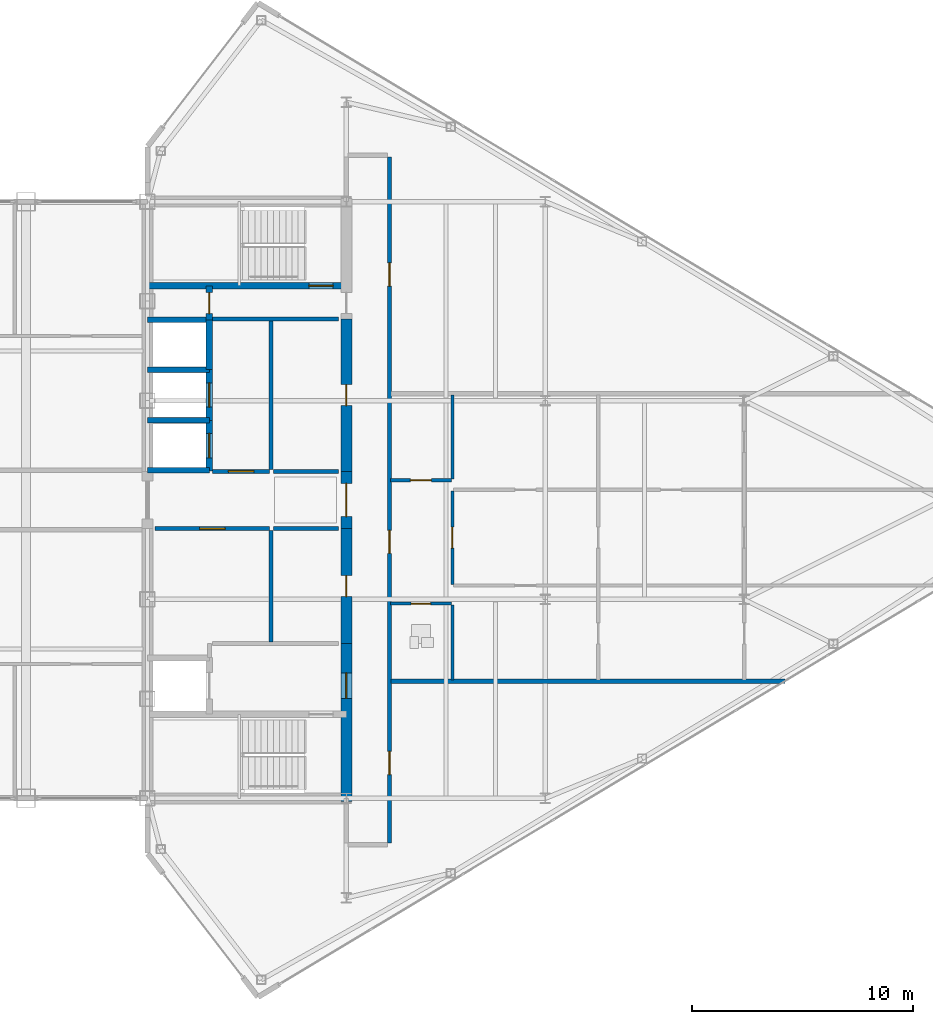
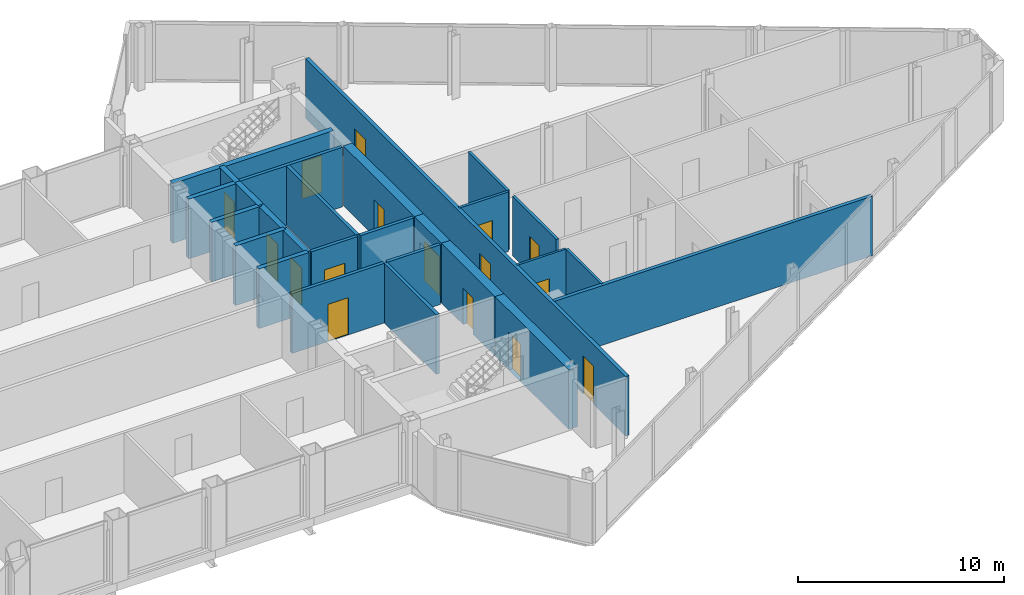
# One storey, part 25 of 29: 27 walls, 16 doors, 16 openings.
"""IFC4 building model written with IfcOpenShell, lengths in metres."""

from ifc_helpers import new_model, si_unit, direction, frame, frame_2d, origin, place, context, subcontext, project, spatial, rectangle, extrude, source, transform, mapped, material, layer, layer_set, type_object, type_shapes, element, fill, save


model = new_model("IFC4")

# Units and contexts
model_context = context("Model", 3, precision=1e-05, world=origin(), true_north=direction((0.0, 1.0)))
body_context = subcontext(model_context, "Body", "Model", "MODEL_VIEW")
ifc_project = project(units=[si_unit("LENGTHUNIT", "METRE"), si_unit("AREAUNIT", "SQUARE_METRE"), si_unit("VOLUMEUNIT", "CUBIC_METRE"), si_unit("PLANEANGLEUNIT", "RADIAN"), si_unit("MASSUNIT", "GRAM", prefix="KILO")], contexts=[model_context])

# Site, building, storey
site_placement = place(None, origin())
site = spatial("IfcSite", under=ifc_project, at=site_placement, CompositionType="ELEMENT")
building_placement = place(site_placement, origin())
building = spatial("IfcBuilding", under=site, at=building_placement, Name="Seokmaru Belvedere", CompositionType="ELEMENT")
storey_placement = place(building_placement, frame((0.0, 0.0, 246.89990234375)))
storey = spatial("IfcBuildingStorey", under=building, at=storey_placement, Name="L65", CompositionType="ELEMENT", Elevation=246.89990234375)

# Wall, opening, door
ifc_material_1 = material(Name="Fire-Rated Gypsum Shaftwall")
ifc_layer_1 = layer(ifc_material_1, 0.14990234375)
ifc_layer_set_1 = layer_set([ifc_layer_1], Name="Fire-Rated Gypsum Shaftwall")
wall_type_1 = type_object("IfcWallType", Name="Apartment Fire-Acoustic Room Partition 150", PredefinedType="PARTITIONING", material=ifc_layer_set_1)
wall_1_placement = place(storey_placement, frame((38.5, 0.89990234375, 0.0), z_axis=(0.0, 0.0, 1.0), x_axis=(1.0, 0.0, 0.0)))
wall_1 = element("IfcWall", 1, at=wall_1_placement, inside=storey, type_object=wall_type_1, Name="L65 Interior Partition 017", PredefinedType="PARTITIONING", context=body_context, shape_type="SweptSolid", body=[
    extrude(rectangle(XDim=2.75, YDim=0.14990234375, at=frame_2d((1.375, 0.0))), origin(), (0.0, 0.0, 1.0), 3.530029296875),
])
opening_1_placement = place(wall_1_placement, frame((0.89990234375, 0.0, 0.0)))
opening_1 = element("IfcOpeningElement", 2, at=opening_1_placement, cuts=wall_1, Name="Opening D05", PredefinedType="OPENING", context=body_context, shape_type="SweptSolid", body=[
    extrude(rectangle(XDim=0.949951171875, YDim=2.14990234375, at=frame_2d((0.47509765625, 1.074951171875))), frame((0.0, 0.0849609375, 0.0), z_axis=(0.0, -1.0, 0.0), x_axis=(1.0, 0.0, 0.0)), (0.0, 0.0, 1.0), 0.169921875),
])
ifc_material_2 = material(Name="Engineered White Oak Timber", Category="wood")
door_type_1 = type_object("IfcDoorType", Name="Apartment Interior Fire-Rated Oak Door 950x2150", OperationType="NOTDEFINED", PredefinedType="DOOR", material=ifc_material_2)
shared_shape_1 = source(origin(), body_context, "Body", "SweptSolid", [
    extrude(rectangle(XDim=0.949951171875, YDim=2.14990234375, at=frame_2d((0.47509765625, 1.074951171875))), frame((0.0, 0.02490234375, 0.0), z_axis=(0.0, -1.0, 0.0), x_axis=(1.0, 0.0, 0.0)), (0.0, 0.0, 1.0), 0.050048828125),
])
type_shapes(door_type_1, [shared_shape_1])
door_1_placement = place(opening_1_placement, origin())
door_1 = element("IfcDoor", 3, at=door_1_placement, inside=storey, type_object=door_type_1, Name="L65 Interior Door 015", OperationType="SINGLE_SWING_RIGHT", OverallHeight=2.14990234375, OverallWidth=0.949951171875, PredefinedType="DOOR", context=body_context, shape_type="MappedRepresentation", body=[
    mapped(shared_shape_1, transform((0.0, 0.0, 0.0), scale=1.0)),
])
fill(opening_1, door_1)

wall_2_placement = place(storey_placement, frame((41.300048828125, -3.81689453125, 0.0), z_axis=(0.0, 0.0, 1.0), x_axis=(0.0, 1.0, 0.0)))
wall_2 = element("IfcWall", 4, at=wall_2_placement, inside=storey, type_object=wall_type_1, Name="L65 Interior Partition 052", PredefinedType="PARTITIONING", context=body_context, shape_type="SweptSolid", body=[
    extrude(rectangle(XDim=4.23388671875, YDim=0.14990234375, at=frame_2d((2.116943359375, 0.0))), origin(), (0.0, 0.0, 1.0), 3.530029296875),
])
opening_2_placement = place(wall_2_placement, frame((1.64208984375, 0.0, 0.0)))
opening_2 = element("IfcOpeningElement", 5, at=opening_2_placement, cuts=wall_2, Name="Opening D05", PredefinedType="OPENING", context=body_context, shape_type="SweptSolid", body=[
    extrude(rectangle(XDim=0.949951171875, YDim=2.14990234375, at=frame_2d((0.47509765625, 1.074951171875))), frame((0.0, 0.0849609375, 0.0), z_axis=(0.0, -1.0, 0.0), x_axis=(1.0, 0.0, 0.0)), (0.0, 0.0, 1.0), 0.169921875),
])
door_2_placement = place(opening_2_placement, origin())
door_2 = element("IfcDoor", 6, at=door_2_placement, inside=storey, type_object=door_type_1, Name="L65 Interior Door 016", OperationType="SINGLE_SWING_LEFT", OverallHeight=2.14990234375, OverallWidth=0.949951171875, PredefinedType="DOOR", context=body_context, shape_type="MappedRepresentation", body=[
    mapped(shared_shape_1, transform((0.0, 0.0, 0.0), scale=1.0)),
])
fill(opening_2, door_2)

# Walls
wall_3_placement = place(storey_placement, frame((41.300048828125, 0.951904296875, 0.0), z_axis=(0.0, 0.0, 1.0), x_axis=(0.0, 1.0, 0.0)))
element("IfcWall", 7, at=wall_3_placement, inside=storey, type_object=wall_type_1, Name="L65 Interior Partition 053", PredefinedType="PARTITIONING", context=body_context, shape_type="SweptSolid", body=[
    extrude(rectangle(XDim=3.798095703125, YDim=0.14990234375, at=frame_2d((1.89892578125, 0.0))), origin(), (0.0, 0.0, 1.0), 3.530029296875),
])
ifc_layer_2 = layer(ifc_material_1, 0.179931640625)
ifc_layer_set_2 = layer_set([ifc_layer_2], Name="Fire-Rated Gypsum Shaftwall")
wall_type_2 = type_object("IfcWallType", Name="Core Service Fire Partition 180", PredefinedType="PARTITIONING", material=ifc_layer_set_2)
wall_4_placement = place(storey_placement, frame((30.449951171875, 8.199951171875, 0.0), z_axis=(0.0, 0.0, 1.0), x_axis=(1.0, 0.0, 0.0)))
element("IfcWall", 8, at=wall_4_placement, inside=storey, type_object=wall_type_2, Name="L65 East Smokeproof Vestibule Partition", PredefinedType="PARTITIONING", context=body_context, shape_type="SweptSolid", body=[
    extrude(rectangle(XDim=5.699951171875, YDim=0.179931640625, at=frame_2d((2.85009765625, 0.0))), origin(), (0.0, 0.0, 1.0), 3.530029296875),
])
wall_5_placement = place(storey_placement, frame((33.10009765625, -6.419921875, 0.0), z_axis=(0.0, 0.0, 1.0), x_axis=(0.0, 1.0, 0.0)))
element("IfcWall", 9, at=wall_5_placement, inside=storey, type_object=wall_type_2, Name="L65 East South Core Service Back Wall", PredefinedType="PARTITIONING", context=body_context, shape_type="SweptSolid", body=[
    extrude(rectangle(XDim=5.0400390625, YDim=0.179931640625, at=frame_2d((2.52001953125, 0.0))), origin(), (0.0, 0.0, 1.0), 3.530029296875),
])
wall_6_placement = place(storey_placement, frame((33.10009765625, 1.3798828125, 0.0), z_axis=(0.0, 0.0, 1.0), x_axis=(0.0, 1.0, 0.0)))
element("IfcWall", 10, at=wall_6_placement, inside=storey, type_object=wall_type_2, Name="L65 East North Core Service Back Wall", PredefinedType="PARTITIONING", context=body_context, shape_type="SweptSolid", body=[
    extrude(rectangle(XDim=6.740234375, YDim=0.179931640625, at=frame_2d((3.3701171875, 0.0))), origin(), (0.0, 0.0, 1.0), 3.530029296875),
])

# Wall, opening, door
wall_7_placement = place(storey_placement, frame((27.85009765625, -1.300048828125, 0.0), z_axis=(0.0, 0.0, 1.0), x_axis=(1.0, 0.0, 0.0)))
wall_7 = element("IfcWall", 11, at=wall_7_placement, inside=storey, type_object=wall_type_2, Name="L65 East South Lift Lobby Foyer Wall", PredefinedType="PARTITIONING", context=body_context, shape_type="SweptSolid", body=[
    extrude(rectangle(XDim=5.169921875, YDim=0.179931640625, at=frame_2d((2.5849609375, 0.0))), origin(), (0.0, 0.0, 1.0), 3.530029296875),
])
opening_3_placement = place(wall_7_placement, frame((2.010009765625, 0.0, 0.0)))
opening_3 = element("IfcOpeningElement", 12, at=opening_3_placement, cuts=wall_7, Name="Opening D02", PredefinedType="OPENING", context=body_context, shape_type="SweptSolid", body=[
    extrude(rectangle(XDim=1.14990234375, YDim=2.199951171875, at=frame_2d((0.574951171875, 1.10009765625))), frame((0.0, 0.10009765625, 0.0), z_axis=(0.0, -1.0, 0.0), x_axis=(1.0, 0.0, 0.0)), (0.0, 0.0, 1.0), 0.199951171875),
])
ifc_material_3 = material(Name="Fire-Rated Steel Leaf", Category="steel")
door_type_2 = type_object("IfcDoorType", Name="Lobby and Vestibule Fire Door 1150x2200", OperationType="NOTDEFINED", PredefinedType="DOOR", material=ifc_material_3)
shared_shape_2 = source(origin(), body_context, "Body", "SweptSolid", [
    extrude(rectangle(XDim=1.14990234375, YDim=2.199951171875, at=frame_2d((0.574951171875, 1.10009765625))), frame((0.0, 0.02490234375, 0.0), z_axis=(0.0, -1.0, 0.0), x_axis=(1.0, 0.0, 0.0)), (0.0, 0.0, 1.0), 0.050048828125),
])
type_shapes(door_type_2, [shared_shape_2])
door_3_placement = place(opening_3_placement, origin())
door_3 = element("IfcDoor", 13, at=door_3_placement, inside=storey, type_object=door_type_2, Name="L65 East South Core Foyer Door", OperationType="SINGLE_SWING_RIGHT", OverallHeight=2.199951171875, OverallWidth=1.14990234375, PredefinedType="DOOR", context=body_context, shape_type="MappedRepresentation", body=[
    mapped(shared_shape_2, transform((0.0, 0.0, 0.0), scale=1.0)),
])
fill(opening_3, door_3)

wall_8_placement = place(storey_placement, frame((30.449951171875, 1.300048828125, 0.0), z_axis=(0.0, 0.0, 1.0), x_axis=(1.0, 0.0, 0.0)))
wall_8 = element("IfcWall", 14, at=wall_8_placement, inside=storey, type_object=wall_type_2, Name="L65 East North Lift Lobby Foyer Wall", PredefinedType="PARTITIONING", context=body_context, shape_type="SweptSolid", body=[
    extrude(rectangle(XDim=2.570068359375, YDim=0.179931640625, at=frame_2d((1.28515625, 0.0))), origin(), (0.0, 0.0, 1.0), 3.530029296875),
])
opening_4_placement = place(wall_8_placement, frame((0.7099609375, 0.0, 0.0)))
opening_4 = element("IfcOpeningElement", 15, at=opening_4_placement, cuts=wall_8, Name="Opening D02", PredefinedType="OPENING", context=body_context, shape_type="SweptSolid", body=[
    extrude(rectangle(XDim=1.14990234375, YDim=2.199951171875, at=frame_2d((0.574951171875, 1.10009765625))), frame((0.0, 0.10009765625, 0.0), z_axis=(0.0, -1.0, 0.0), x_axis=(1.0, 0.0, 0.0)), (0.0, 0.0, 1.0), 0.199951171875),
])
door_4_placement = place(opening_4_placement, origin())
door_4 = element("IfcDoor", 16, at=door_4_placement, inside=storey, type_object=door_type_2, Name="L65 East North Lift Lobby Door", OperationType="SINGLE_SWING_LEFT", OverallHeight=2.199951171875, OverallWidth=1.14990234375, PredefinedType="DOOR", context=body_context, shape_type="MappedRepresentation", body=[
    mapped(shared_shape_2, transform((0.0, 0.0, 0.0), scale=1.0)),
])
fill(opening_4, door_4)

# Walls
for number, where, z_axis, x_axis, name in (
    (17, (33.199951171875, -1.300048828125, 0.0), (0.0, 0.0, 1.0), (1.0, 0.0, 0.0), "L65 East Foyer Side Wall S"),
    (18, (33.199951171875, 1.300048828125, 0.0), (0.0, 0.0, 1.0), (1.0, 0.0, 0.0), "L65 East Foyer Side Wall N"),
):
    element("IfcWall", number, at=place(storey_placement, frame(where, z_axis=z_axis, x_axis=x_axis)), inside=storey, type_object=wall_type_2, Name=name, PredefinedType="PARTITIONING", context=body_context, shape_type="SweptSolid", body=[
        extrude(rectangle(XDim=2.949951171875, YDim=0.179931640625, at=frame_2d((1.47509765625, 0.0))), origin(), (0.0, 0.0, 1.0), 3.530029296875),
    ])
ifc_material_4 = material(Name="Concrete C50 (50 MPa)", Category="concrete")
ifc_layer_3 = layer(ifc_material_4, 0.25)
ifc_layer_set_3 = layer_set([ifc_layer_3], Name="Concrete C50 (50 MPa)")
wall_type_3 = type_object("IfcWallType", Name="Hoistway Transverse Concrete Divider Wall 250", PredefinedType="SHEAR", material=ifc_layer_set_3)
for number, where, z_axis, x_axis, name in (
    (19, (27.5, 1.35009765625, 0.0), (0.0, 0.0, 1.0), (1.0, 0.0, 0.0), "L65 East Hoistway Divider Core Wall 2"),
    (20, (27.5, 3.60009765625, 0.0), (0.0, 0.0, 1.0), (1.0, 0.0, 0.0), "L65 East Hoistway Divider Core Wall 3"),
    (21, (27.5, 5.89990234375, 0.0), (0.0, 0.0, 1.0), (1.0, 0.0, 0.0), "L65 East Hoistway Divider Core Wall 4"),
    (22, (27.5, 8.14990234375, 0.0), (0.0, 0.0, 1.0), (1.0, 0.0, 0.0), "L65 East Hoistway Divider Core Wall 5"),
):
    element("IfcWall", number, at=place(storey_placement, frame(where, z_axis=z_axis, x_axis=x_axis)), inside=storey, type_object=wall_type_3, Name=name, PredefinedType="SHEAR", context=body_context, shape_type="SweptSolid", body=[
        extrude(rectangle(XDim=2.800048828125, YDim=0.25, at=frame_2d((1.39990234375, 0.0))), origin(), (0.0, 0.0, 1.0), 3.530029296875),
    ])
ifc_layer_4 = layer(ifc_material_1, 0.199951171875)
ifc_layer_set_4 = layer_set([ifc_layer_4], Name="Fire-Rated Gypsum Shaftwall")
wall_type_4 = type_object("IfcWallType", Name="Inter-Tenancy Fire Compartment Partition 200", PredefinedType="PARTITIONING", material=ifc_layer_set_4)
wall_9_placement = place(storey_placement, frame((38.530029296875, -8.199951171875, 0.0), z_axis=(0.0, 0.0, 1.0), x_axis=(1.0, 0.0, 0.0)))
element("IfcWall", 23, at=wall_9_placement, inside=storey, type_object=wall_type_4, Name="L65 Interior Partition 004", PredefinedType="PARTITIONING", context=body_context, shape_type="SweptSolid", body=[
    extrude(rectangle(XDim=17.81298828125, YDim=0.199951171875, at=frame_2d((8.906494140625, 0.0))), origin(), (0.0, 0.0, 1.0), 3.530029296875),
])

# Wall, openings, doors
wall_10_placement = place(storey_placement, frame((38.449951171875, -15.514892578125, 0.0), z_axis=(0.0, 0.0, 1.0), x_axis=(0.0, 1.0, 0.0)))
wall_10 = element("IfcWall", 24, at=wall_10_placement, inside=storey, type_object=wall_type_4, Name="L65 Interior Partition 050", PredefinedType="PARTITIONING", context=body_context, shape_type="SweptSolid", body=[
    extrude(rectangle(XDim=31.02978515625, YDim=0.199951171875, at=frame_2d((15.514892578125, 0.0))), origin(), (0.0, 0.0, 1.0), 3.530029296875),
])
opening_5_placement = place(wall_10_placement, frame((3.090087890625, 0.0, 0.0)))
opening_5 = element("IfcOpeningElement", 25, at=opening_5_placement, cuts=wall_10, Name="Opening D03", PredefinedType="OPENING", context=body_context, shape_type="SweptSolid", body=[
    extrude(rectangle(XDim=1.050048828125, YDim=2.25, at=frame_2d((0.52490234375, 1.125))), frame((0.0, 0.10986328125, 0.0), z_axis=(0.0, -1.0, 0.0), x_axis=(1.0, 0.0, 0.0)), (0.0, 0.0, 1.0), 0.219970703125),
])
opening_6_placement = place(wall_10_placement, frame((13.094970703125, 0.0, 0.0)))
opening_6 = element("IfcOpeningElement", 26, at=opening_6_placement, cuts=wall_10, Name="Opening D03", PredefinedType="OPENING", context=body_context, shape_type="SweptSolid", body=[
    extrude(rectangle(XDim=1.050048828125, YDim=2.25, at=frame_2d((0.52490234375, 1.125))), frame((0.0, 0.10986328125, 0.0), z_axis=(0.0, -1.0, 0.0), x_axis=(1.0, 0.0, 0.0)), (0.0, 0.0, 1.0), 0.219970703125),
])
opening_7_placement = place(wall_10_placement, frame((25.18994140625, 0.0, 0.0)))
opening_7 = element("IfcOpeningElement", 27, at=opening_7_placement, cuts=wall_10, Name="Opening D03", PredefinedType="OPENING", context=body_context, shape_type="SweptSolid", body=[
    extrude(rectangle(XDim=1.050048828125, YDim=2.25, at=frame_2d((0.52490234375, 1.125))), frame((0.0, 0.10986328125, 0.0), z_axis=(0.0, -1.0, 0.0), x_axis=(1.0, 0.0, 0.0)), (0.0, 0.0, 1.0), 0.219970703125),
])
door_type_3 = type_object("IfcDoorType", Name="Apartment Entrance Fire Door 1050x2250", OperationType="NOTDEFINED", PredefinedType="DOOR", material=ifc_material_3)
shared_shape_3 = source(origin(), body_context, "Body", "SweptSolid", [
    extrude(rectangle(XDim=1.050048828125, YDim=2.25, at=frame_2d((0.52490234375, 1.125))), frame((0.0, 0.02490234375, 0.0), z_axis=(0.0, -1.0, 0.0), x_axis=(1.0, 0.0, 0.0)), (0.0, 0.0, 1.0), 0.050048828125),
])
type_shapes(door_type_3, [shared_shape_3])
door_5_placement = place(opening_5_placement, origin())
door_5 = element("IfcDoor", 28, at=door_5_placement, inside=storey, type_object=door_type_3, Name="L65 Interior Door 012", OperationType="SINGLE_SWING_LEFT", OverallHeight=2.25, OverallWidth=1.050048828125, PredefinedType="DOOR", context=body_context, shape_type="MappedRepresentation", body=[
    mapped(shared_shape_3, transform((0.0, 0.0, 0.0), scale=1.0)),
])
fill(opening_5, door_5)
door_6_placement = place(opening_6_placement, origin())
door_6 = element("IfcDoor", 29, at=door_6_placement, inside=storey, type_object=door_type_3, Name="L65 Interior Door 013", OperationType="SINGLE_SWING_RIGHT", OverallHeight=2.25, OverallWidth=1.050048828125, PredefinedType="DOOR", context=body_context, shape_type="MappedRepresentation", body=[
    mapped(shared_shape_3, transform((0.0, 0.0, 0.0), scale=1.0)),
])
fill(opening_6, door_6)
door_7_placement = place(opening_7_placement, origin())
door_7 = element("IfcDoor", 30, at=door_7_placement, inside=storey, type_object=door_type_3, Name="L65 Interior Door 025", OperationType="SINGLE_SWING_LEFT", OverallHeight=2.25, OverallWidth=1.050048828125, PredefinedType="DOOR", context=body_context, shape_type="MappedRepresentation", body=[
    mapped(shared_shape_3, transform((0.0, 0.0, 0.0), scale=1.0)),
])
fill(opening_7, door_7)

# Wall, opening, door
ifc_layer_5 = layer(ifc_material_4, 0.300048828125)
ifc_layer_set_5 = layer_set([ifc_layer_5], Name="Concrete C50 (50 MPa)")
wall_type_5 = type_object("IfcWallType", Name="Internal Core Stair and Hoistway Wall 300", PredefinedType="SHEAR", material=ifc_layer_set_5)
wall_11_placement = place(storey_placement, frame((27.5, 9.699951171875, 0.0), z_axis=(0.0, 0.0, 1.0), x_axis=(1.0, 0.0, 0.0)))
wall_11 = element("IfcWall", 31, at=wall_11_placement, inside=storey, type_object=wall_type_5, Name="L65 East Stair ST-2 Enclosure Wall", PredefinedType="SHEAR", context=body_context, shape_type="SweptSolid", body=[
    extrude(rectangle(XDim=9.0, YDim=0.300048828125, at=frame_2d((4.5, 0.0))), origin(), (0.0, 0.0, 1.0), 3.530029296875),
])
opening_8_placement = place(wall_11_placement, frame((7.300048828125, 0.0, 0.0)))
opening_8 = element("IfcOpeningElement", 32, at=opening_8_placement, cuts=wall_11, Name="Opening D01", PredefinedType="OPENING", context=body_context, shape_type="SweptSolid", body=[
    extrude(rectangle(XDim=1.10009765625, YDim=2.199951171875, at=frame_2d((0.550048828125, 1.10009765625))), frame((0.0, 0.16015625, 0.0), z_axis=(0.0, -1.0, 0.0), x_axis=(1.0, 0.0, 0.0)), (0.0, 0.0, 1.0), 0.320068359375),
])
door_type_4 = type_object("IfcDoorType", Name="Special Escape Stair Smokeproof Fire Door 1100x2200", OperationType="NOTDEFINED", PredefinedType="DOOR", material=ifc_material_3)
shared_shape_4 = source(origin(), body_context, "Body", "SweptSolid", [
    extrude(rectangle(XDim=1.10009765625, YDim=2.199951171875, at=frame_2d((0.550048828125, 1.10009765625))), frame((0.0, 0.02490234375, 0.0), z_axis=(0.0, -1.0, 0.0), x_axis=(1.0, 0.0, 0.0)), (0.0, 0.0, 1.0), 0.050048828125),
])
type_shapes(door_type_4, [shared_shape_4])
door_8_placement = place(opening_8_placement, origin())
door_8 = element("IfcDoor", 33, at=door_8_placement, inside=storey, type_object=door_type_4, Name="L65 East Special Escape Stair ST-2 Door", OperationType="SINGLE_SWING_LEFT", OverallHeight=2.199951171875, OverallWidth=1.10009765625, PredefinedType="DOOR", context=body_context, shape_type="MappedRepresentation", body=[
    mapped(shared_shape_4, transform((0.0, 0.0, 0.0), scale=1.0)),
])
fill(opening_8, door_8)

wall_12_placement = place(storey_placement, frame((30.300048828125, 1.320068359375, 0.0), z_axis=(0.0, 0.0, 1.0), x_axis=(0.0, 1.0, 0.0)))
wall_12 = element("IfcWall", 34, at=wall_12_placement, inside=storey, type_object=wall_type_5, Name="L65 East North Hoistway Wall PH1", PredefinedType="SHEAR", context=body_context, shape_type="SweptSolid", body=[
    extrude(rectangle(XDim=2.280029296875, YDim=0.300048828125, at=frame_2d((1.14013671875, 0.0))), origin(), (0.0, 0.0, 1.0), 3.530029296875),
])
opening_9_placement = place(wall_12_placement, frame((0.590087890625, 0.0, 0.0)))
opening_9 = element("IfcOpeningElement", 35, at=opening_9_placement, cuts=wall_12, Name="Opening LD1", PredefinedType="OPENING", context=body_context, shape_type="SweptSolid", body=[
    extrude(rectangle(XDim=1.10009765625, YDim=2.199951171875, at=frame_2d((0.550048828125, 1.10009765625))), frame((0.0, 0.16015625, 0.0), z_axis=(0.0, -1.0, 0.0), x_axis=(1.0, 0.0, 0.0)), (0.0, 0.0, 1.0), 0.320068359375),
])
ifc_material_5 = material(Name="Stainless Steel 316", Category="steel")
door_type_5 = type_object("IfcDoorType", Name="Passenger Lift Sliding Landing Door 1100x2200", OperationType="DOUBLE_DOOR_SLIDING", PredefinedType="DOOR", material=ifc_material_5)
shared_shape_5 = source(origin(), body_context, "Body", "SweptSolid", [
    extrude(rectangle(XDim=1.10009765625, YDim=2.199951171875, at=frame_2d((0.550048828125, 1.10009765625))), frame((0.0, 0.02490234375, 0.0), z_axis=(0.0, -1.0, 0.0), x_axis=(1.0, 0.0, 0.0)), (0.0, 0.0, 1.0), 0.050048828125),
])
type_shapes(door_type_5, [shared_shape_5])
door_9_placement = place(opening_9_placement, origin())
door_9 = element("IfcDoor", 36, at=door_9_placement, inside=storey, type_object=door_type_5, Name="L65 East High-Rise Lift PH-1 Landing Door", OperationType="DOUBLE_DOOR_SLIDING", OverallHeight=2.199951171875, OverallWidth=1.10009765625, PredefinedType="DOOR", context=body_context, shape_type="MappedRepresentation", body=[
    mapped(shared_shape_5, transform((0.0, 0.0, 0.0), scale=1.0)),
])
fill(opening_9, door_9)

wall_13_placement = place(storey_placement, frame((30.300048828125, 3.60009765625, 0.0), z_axis=(0.0, 0.0, 1.0), x_axis=(0.0, 1.0, 0.0)))
wall_13 = element("IfcWall", 37, at=wall_13_placement, inside=storey, type_object=wall_type_5, Name="L65 East North Hoistway Wall PH2", PredefinedType="SHEAR", context=body_context, shape_type="SweptSolid", body=[
    extrude(rectangle(XDim=2.2998046875, YDim=0.300048828125, at=frame_2d((1.14990234375, 0.0))), origin(), (0.0, 0.0, 1.0), 3.530029296875),
])
opening_10_placement = place(wall_13_placement, frame((0.60009765625, 0.0, 0.0)))
opening_10 = element("IfcOpeningElement", 38, at=opening_10_placement, cuts=wall_13, Name="Opening LD1", PredefinedType="OPENING", context=body_context, shape_type="SweptSolid", body=[
    extrude(rectangle(XDim=1.10009765625, YDim=2.199951171875, at=frame_2d((0.550048828125, 1.10009765625))), frame((0.0, 0.16015625, 0.0), z_axis=(0.0, -1.0, 0.0), x_axis=(1.0, 0.0, 0.0)), (0.0, 0.0, 1.0), 0.320068359375),
])
door_10_placement = place(opening_10_placement, origin())
door_10 = element("IfcDoor", 39, at=door_10_placement, inside=storey, type_object=door_type_5, Name="L65 East High-Rise Lift PH-2 Landing Door", OperationType="DOUBLE_DOOR_SLIDING", OverallHeight=2.199951171875, OverallWidth=1.10009765625, PredefinedType="DOOR", context=body_context, shape_type="MappedRepresentation", body=[
    mapped(shared_shape_5, transform((0.0, 0.0, 0.0), scale=1.0)),
])
fill(opening_10, door_10)

# Wall
wall_14_placement = place(storey_placement, frame((30.300048828125, 5.89990234375, 0.0), z_axis=(0.0, 0.0, 1.0), x_axis=(0.0, 1.0, 0.0)))
element("IfcWall", 40, at=wall_14_placement, inside=storey, type_object=wall_type_5, Name="L65 East North Hoistway Wall OBS", PredefinedType="SHEAR", context=body_context, shape_type="SweptSolid", body=[
    extrude(rectangle(XDim=2.25, YDim=0.300048828125, at=frame_2d((1.125, 0.0))), origin(), (0.0, 0.0, 1.0), 3.530029296875),
])

# Wall, opening, door
wall_15_placement = place(storey_placement, frame((30.300048828125, 8.14990234375, 0.0), z_axis=(0.0, 0.0, 1.0), x_axis=(0.0, 1.0, 0.0)))
wall_15 = element("IfcWall", 41, at=wall_15_placement, inside=storey, type_object=wall_type_5, Name="L65 East Electrical Riser Front Wall", PredefinedType="SHEAR", context=body_context, shape_type="SweptSolid", body=[
    extrude(rectangle(XDim=1.530029296875, YDim=0.300048828125, at=frame_2d((0.76513671875, 0.0))), origin(), (0.0, 0.0, 1.0), 3.530029296875),
])
opening_11_placement = place(wall_15_placement, frame((0.284912109375, 0.0, 0.0)))
opening_11 = element("IfcOpeningElement", 42, at=opening_11_placement, cuts=wall_15, Name="Opening D04", PredefinedType="OPENING", context=body_context, shape_type="SweptSolid", body=[
    extrude(rectangle(XDim=0.949951171875, YDim=2.14990234375, at=frame_2d((0.47509765625, 1.074951171875))), frame((0.0, 0.16015625, 0.0), z_axis=(0.0, -1.0, 0.0), x_axis=(1.0, 0.0, 0.0)), (0.0, 0.0, 1.0), 0.320068359375),
])
door_type_6 = type_object("IfcDoorType", Name="Core Service Room Fire Door 950x2150", OperationType="NOTDEFINED", PredefinedType="DOOR", material=ifc_material_3)
shared_shape_6 = source(origin(), body_context, "Body", "SweptSolid", [
    extrude(rectangle(XDim=0.949951171875, YDim=2.14990234375, at=frame_2d((0.47509765625, 1.074951171875))), frame((0.0, 0.02490234375, 0.0), z_axis=(0.0, -1.0, 0.0), x_axis=(1.0, 0.0, 0.0)), (0.0, 0.0, 1.0), 0.050048828125),
])
type_shapes(door_type_6, [shared_shape_6])
door_11_placement = place(opening_11_placement, origin())
door_11 = element("IfcDoor", 43, at=door_11_placement, inside=storey, type_object=door_type_6, Name="L65 East Electrical Riser Access Door", OperationType="SINGLE_SWING_RIGHT", OverallHeight=2.14990234375, OverallWidth=0.949951171875, PredefinedType="DOOR", context=body_context, shape_type="MappedRepresentation", body=[
    mapped(shared_shape_6, transform((0.0, 0.0, 0.0), scale=1.0)),
])
fill(opening_11, door_11)

ifc_layer_6 = layer(ifc_material_1, 0.1298828125)
ifc_layer_set_6 = layer_set([ifc_layer_6], Name="Fire-Rated Gypsum Shaftwall")
wall_type_6 = type_object("IfcWallType", Name="Moisture-Resistant Fire-Rated Bathroom Partition 130", PredefinedType="PARTITIONING", material=ifc_layer_set_6)
wall_16_placement = place(storey_placement, frame((38.5, -4.68994140625, 0.0), z_axis=(0.0, 0.0, 1.0), x_axis=(1.0, 0.0, 0.0)))
wall_16 = element("IfcWall", 44, at=wall_16_placement, inside=storey, type_object=wall_type_6, Name="L65 Interior Partition 010", PredefinedType="PARTITIONING", context=body_context, shape_type="SweptSolid", body=[
    extrude(rectangle(XDim=2.75, YDim=0.1298828125, at=frame_2d((1.375, 0.0))), origin(), (0.0, 0.0, 1.0), 3.530029296875),
])
opening_12_placement = place(wall_16_placement, frame((0.93505859375, 0.0, 0.0)))
opening_12 = element("IfcOpeningElement", 45, at=opening_12_placement, cuts=wall_16, Name="Opening D06", PredefinedType="OPENING", context=body_context, shape_type="SweptSolid", body=[
    extrude(rectangle(XDim=0.8798828125, YDim=2.10009765625, at=frame_2d((0.43994140625, 1.050048828125))), frame((0.0, 0.074951171875, 0.0), z_axis=(0.0, -1.0, 0.0), x_axis=(1.0, 0.0, 0.0)), (0.0, 0.0, 1.0), 0.14990234375),
])
door_type_7 = type_object("IfcDoorType", Name="Bathroom and Restroom Fire-Rated Door 880x2100", OperationType="NOTDEFINED", PredefinedType="DOOR", material=ifc_material_2)
shared_shape_7 = source(origin(), body_context, "Body", "SweptSolid", [
    extrude(rectangle(XDim=0.8798828125, YDim=2.10009765625, at=frame_2d((0.43994140625, 1.050048828125))), frame((0.0, 0.02490234375, 0.0), z_axis=(0.0, -1.0, 0.0), x_axis=(1.0, 0.0, 0.0)), (0.0, 0.0, 1.0), 0.050048828125),
])
type_shapes(door_type_7, [shared_shape_7])
door_12_placement = place(opening_12_placement, origin())
door_12 = element("IfcDoor", 46, at=door_12_placement, inside=storey, type_object=door_type_7, Name="L65 Interior Door 014", OperationType="SINGLE_SWING_RIGHT", OverallHeight=2.10009765625, OverallWidth=0.8798828125, PredefinedType="DOOR", context=body_context, shape_type="MappedRepresentation", body=[
    mapped(shared_shape_7, transform((0.0, 0.0, 0.0), scale=1.0)),
])
fill(opening_12, door_12)

# Wall
wall_17_placement = place(storey_placement, frame((41.300048828125, -8.14990234375, 0.0), z_axis=(0.0, 0.0, 1.0), x_axis=(0.0, 1.0, 0.0)))
element("IfcWall", 47, at=wall_17_placement, inside=storey, type_object=wall_type_6, Name="L65 Interior Partition 051", PredefinedType="PARTITIONING", context=body_context, shape_type="SweptSolid", body=[
    extrude(rectangle(XDim=3.407958984375, YDim=0.1298828125, at=frame_2d((1.7041015625, 0.0))), origin(), (0.0, 0.0, 1.0), 3.530029296875),
])

# Wall, opening, door
ifc_layer_7 = layer(ifc_material_4, 0.5)
ifc_layer_set_7 = layer_set([ifc_layer_7], Name="Concrete C50 (50 MPa)")
wall_type_7 = type_object("IfcWallType", Name="Upper Tower Reinforced Concrete Core Wall 500", PredefinedType="SHEAR", material=ifc_layer_set_7)
wall_18_placement = place(storey_placement, frame((36.5, -13.64990234375, 0.0), z_axis=(0.0, 0.0, 1.0), x_axis=(0.0, 1.0, 0.0)))
wall_18 = element("IfcWall", 48, at=wall_18_placement, inside=storey, type_object=wall_type_7, Name="L65 East West Core Wall FF", PredefinedType="SHEAR", context=body_context, shape_type="SweptSolid", body=[
    extrude(rectangle(XDim=7.14990234375, YDim=0.5, at=frame_2d((3.574951171875, 0.0))), origin(), (0.0, 0.0, 1.0), 3.530029296875),
])
opening_13_placement = place(wall_18_placement, frame((4.675048828125, 0.0, 0.0)))
opening_13 = element("IfcOpeningElement", 49, at=opening_13_placement, cuts=wall_18, Name="Opening D02", PredefinedType="OPENING", context=body_context, shape_type="SweptSolid", body=[
    extrude(rectangle(XDim=1.14990234375, YDim=2.199951171875, at=frame_2d((0.574951171875, 1.10009765625))), frame((0.0, 0.260009765625, 0.0), z_axis=(0.0, -1.0, 0.0), x_axis=(1.0, 0.0, 0.0)), (0.0, 0.0, 1.0), 0.52001953125),
])
door_13_placement = place(opening_13_placement, origin())
door_13 = element("IfcDoor", 50, at=door_13_placement, inside=storey, type_object=door_type_2, Name="L65 East Firefighting Lobby Door", OperationType="SINGLE_SWING_RIGHT", OverallHeight=2.199951171875, OverallWidth=1.14990234375, PredefinedType="DOOR", context=body_context, shape_type="MappedRepresentation", body=[
    mapped(shared_shape_2, transform((0.0, 0.0, 0.0), scale=1.0)),
])
fill(opening_13, door_13)

wall_19_placement = place(storey_placement, frame((36.5, -1.300048828125, 0.0), z_axis=(0.0, 0.0, 1.0), x_axis=(0.0, 1.0, 0.0)))
wall_19 = element("IfcWall", 51, at=wall_19_placement, inside=storey, type_object=wall_type_7, Name="L65 East West Core Wall FOY", PredefinedType="SHEAR", context=body_context, shape_type="SweptSolid", body=[
    extrude(rectangle(XDim=2.60009765625, YDim=0.5, at=frame_2d((1.300048828125, 0.0))), origin(), (0.0, 0.0, 1.0), 3.530029296875),
])
opening_14_placement = place(wall_19_placement, frame((0.550048828125, 0.0, 0.0)))
opening_14 = element("IfcOpeningElement", 52, at=opening_14_placement, cuts=wall_19, Name="Opening D08", PredefinedType="OPENING", context=body_context, shape_type="SweptSolid", body=[
    extrude(rectangle(XDim=1.5, YDim=2.300048828125, at=frame_2d((0.75, 1.14990234375))), frame((0.0, 0.260009765625, 0.0), z_axis=(0.0, -1.0, 0.0), x_axis=(1.0, 0.0, 0.0)), (0.0, 0.0, 1.0), 0.52001953125),
])
door_type_8 = type_object("IfcDoorType", Name="Cross-Corridor Compartment Double Fire Door 1500x2300", OperationType="DOUBLE_SWING_LEFT", PredefinedType="DOOR", material=ifc_material_3)
shared_shape_8 = source(origin(), body_context, "Body", "SweptSolid", [
    extrude(rectangle(XDim=1.5, YDim=2.300048828125, at=frame_2d((0.75, 1.14990234375))), frame((0.0, 0.02490234375, 0.0), z_axis=(0.0, -1.0, 0.0), x_axis=(1.0, 0.0, 0.0)), (0.0, 0.0, 1.0), 0.050048828125),
])
type_shapes(door_type_8, [shared_shape_8])
door_14_placement = place(opening_14_placement, origin())
door_14 = element("IfcDoor", 53, at=door_14_placement, inside=storey, type_object=door_type_8, Name="L65 East Core Foyer Compartment Door", OperationType="DOUBLE_SWING_LEFT", OverallHeight=2.300048828125, OverallWidth=1.5, PredefinedType="DOOR", context=body_context, shape_type="MappedRepresentation", body=[
    mapped(shared_shape_8, transform((0.0, 0.0, 0.0), scale=1.0)),
])
fill(opening_14, door_14)

wall_20_placement = place(storey_placement, frame((36.5, -6.5, 0.0), z_axis=(0.0, 0.0, 1.0), x_axis=(0.0, 1.0, 0.0)))
wall_20 = element("IfcWall", 54, at=wall_20_placement, inside=storey, type_object=wall_type_7, Name="L65 East West Core Wall CS1", PredefinedType="SHEAR", context=body_context, shape_type="SweptSolid", body=[
    extrude(rectangle(XDim=5.199951171875, YDim=0.5, at=frame_2d((2.60009765625, 0.0))), origin(), (0.0, 0.0, 1.0), 3.530029296875),
])
opening_15_placement = place(wall_20_placement, frame((2.125, 0.0, 0.0)))
opening_15 = element("IfcOpeningElement", 55, at=opening_15_placement, cuts=wall_20, Name="Opening D04", PredefinedType="OPENING", context=body_context, shape_type="SweptSolid", body=[
    extrude(rectangle(XDim=0.949951171875, YDim=2.14990234375, at=frame_2d((0.47509765625, 1.074951171875))), frame((0.0, 0.260009765625, 0.0), z_axis=(0.0, -1.0, 0.0), x_axis=(1.0, 0.0, 0.0)), (0.0, 0.0, 1.0), 0.52001953125),
])
door_15_placement = place(opening_15_placement, origin())
door_15 = element("IfcDoor", 56, at=door_15_placement, inside=storey, type_object=door_type_6, Name="L65 East Core Service Room Door 1", OperationType="SINGLE_SWING_RIGHT", OverallHeight=2.14990234375, OverallWidth=0.949951171875, PredefinedType="DOOR", context=body_context, shape_type="MappedRepresentation", body=[
    mapped(shared_shape_6, transform((0.0, 0.0, 0.0), scale=1.0)),
])
fill(opening_15, door_15)

wall_21_placement = place(storey_placement, frame((36.5, 1.300048828125, 0.0), z_axis=(0.0, 0.0, 1.0), x_axis=(0.0, 1.0, 0.0)))
wall_21 = element("IfcWall", 57, at=wall_21_placement, inside=storey, type_object=wall_type_7, Name="L65 East West Core Wall CS2", PredefinedType="SHEAR", context=body_context, shape_type="SweptSolid", body=[
    extrude(rectangle(XDim=6.89990234375, YDim=0.5, at=frame_2d((3.449951171875, 0.0))), origin(), (0.0, 0.0, 1.0), 3.530029296875),
])
opening_16_placement = place(wall_21_placement, frame((2.97509765625, 0.0, 0.0)))
opening_16 = element("IfcOpeningElement", 58, at=opening_16_placement, cuts=wall_21, Name="Opening D04", PredefinedType="OPENING", context=body_context, shape_type="SweptSolid", body=[
    extrude(rectangle(XDim=0.949951171875, YDim=2.14990234375, at=frame_2d((0.47509765625, 1.074951171875))), frame((0.0, 0.260009765625, 0.0), z_axis=(0.0, -1.0, 0.0), x_axis=(1.0, 0.0, 0.0)), (0.0, 0.0, 1.0), 0.52001953125),
])
door_16_placement = place(opening_16_placement, origin())
door_16 = element("IfcDoor", 59, at=door_16_placement, inside=storey, type_object=door_type_6, Name="L65 East Core Service Room Door 2", OperationType="SINGLE_SWING_LEFT", OverallHeight=2.14990234375, OverallWidth=0.949951171875, PredefinedType="DOOR", context=body_context, shape_type="MappedRepresentation", body=[
    mapped(shared_shape_6, transform((0.0, 0.0, 0.0), scale=1.0)),
])
fill(opening_16, door_16)

save(model, "model.ifc")
